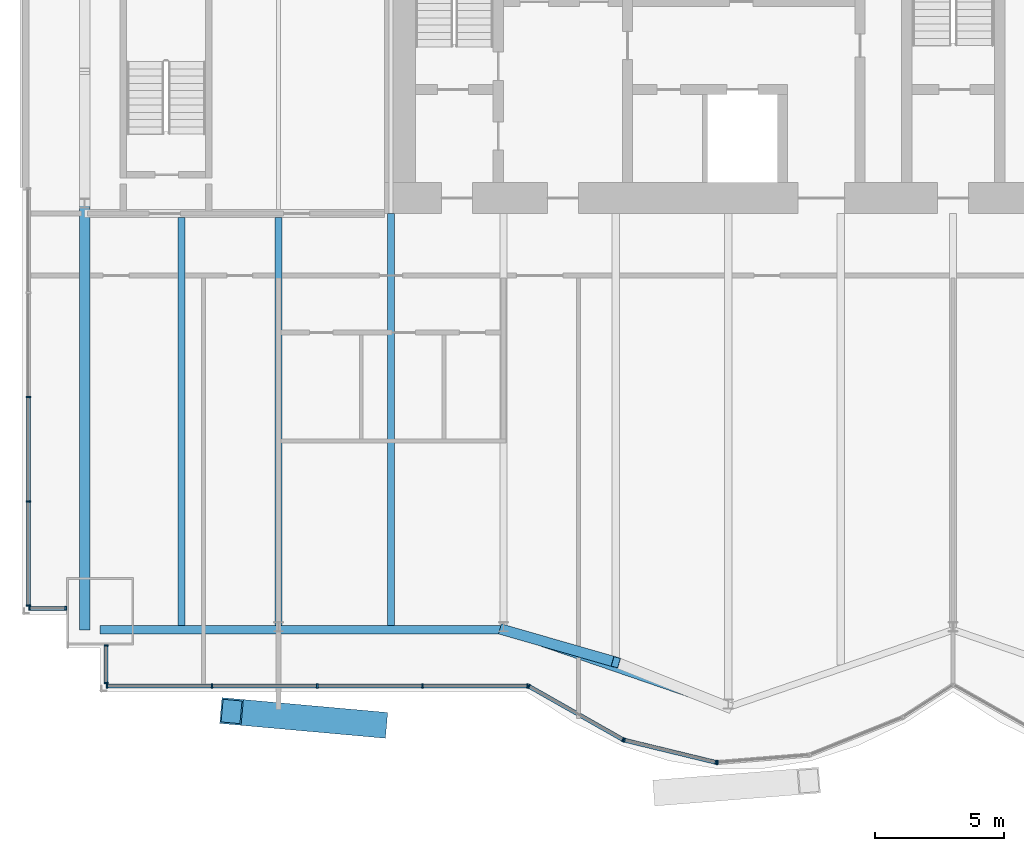
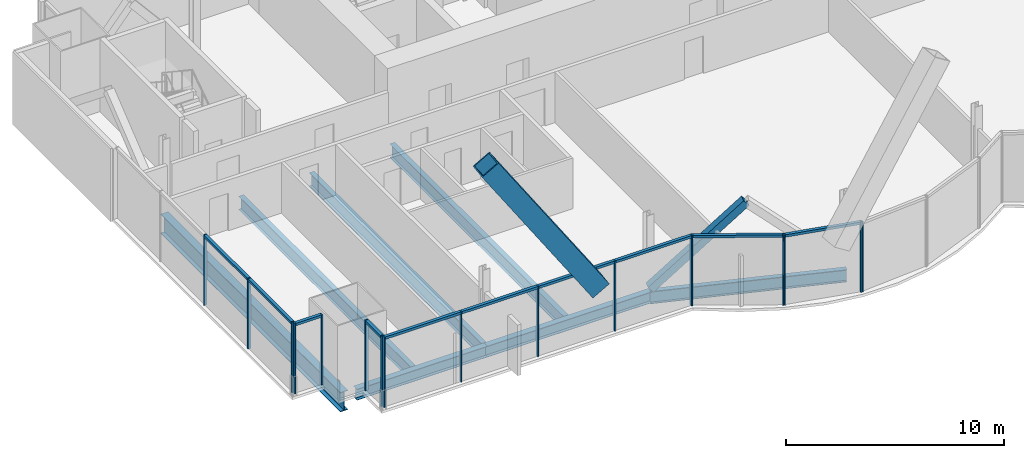
# One storey, part 5 of 20: 29 members, 7 beams, 5 elements without a shape of their own.
"""IFC4 building model written with IfcOpenShell, lengths in metres."""

from ifc_helpers import new_model, si_unit, direction, frame, origin, origin_2d, place, context, subcontext, project, spatial, rectangle, hollow_rectangle, i_section, extrude, material, material_profile, profile_set, type_object, element, aggregate, save


model = new_model("IFC4")

# Units and contexts
model_context = context("Model", 3, precision=1e-05, world=origin(), true_north=direction((0.0, 1.0)))
body_context = subcontext(model_context, "Body", "Model", "MODEL_VIEW")
ifc_project = project(units=[si_unit("LENGTHUNIT", "METRE"), si_unit("AREAUNIT", "SQUARE_METRE"), si_unit("VOLUMEUNIT", "CUBIC_METRE"), si_unit("PLANEANGLEUNIT", "RADIAN"), si_unit("MASSUNIT", "GRAM", prefix="KILO")], contexts=[model_context])

# Site, building, storey
site_placement = place(None, origin())
site = spatial("IfcSite", under=ifc_project, at=site_placement, CompositionType="ELEMENT")
building_placement = place(site_placement, origin())
building = spatial("IfcBuilding", under=site, at=building_placement, Name="Bicima Exchange Tower", CompositionType="ELEMENT")
storey_placement = place(building_placement, frame((0.0, 0.0, 219.60009765625)))
storey = spatial("IfcBuildingStorey", under=building, at=storey_placement, Name="L49", CompositionType="ELEMENT", Elevation=219.60009765625)

# Curtain wall, members
ifc_material_1 = material(Name="Anodised bronze aluminium", Category="aluminium")
curtain_wall_type_1 = type_object("IfcCurtainWallType", Name="End face glass wall", PredefinedType="NOTDEFINED", material=ifc_material_1)
curtain_wall_1_placement = place(storey_placement, origin())
curtain_wall_1 = element("IfcCurtainWall", 1, at=curtain_wall_1_placement, inside=storey, type_object=curtain_wall_type_1, Name="End face glass wall L49 run 2", PredefinedType="NOTDEFINED")
ifc_material_profile_1 = material_profile(ifc_material_1, rectangle(XDim=0.159912109375, YDim=0.06005859375, at=origin_2d()))
ifc_profile_set_1 = profile_set([ifc_material_profile_1], Name="Anodised bronze aluminium")
member_type_1 = type_object("IfcMemberType", Name="End face glass wall mullion 60 x 160", PredefinedType="MULLION", material=ifc_profile_set_1)
member_1_placement = place(storey_placement, frame((-35.77001953125, -20.09912109375, 0.0), z_axis=(0.0, 0.0, 1.0), x_axis=(1.0, 0.0, 0.0)))
member_1 = element("IfcMember", 2, at=member_1_placement, type_object=member_type_1, Name="End face glass wall mullion 3", PredefinedType="MULLION", context=body_context, shape_type="SweptSolid", body=[
    extrude(rectangle(XDim=0.159912109375, YDim=0.06005859375, at=origin_2d()), origin(), (0.0, 0.0, 1.0), 3.949951171875),
])
member_2_placement = place(storey_placement, frame((-35.77001953125, -24.133544921875, 0.0), z_axis=(0.0, 0.0, 1.0), x_axis=(1.0, 0.0, 0.0)))
member_2 = element("IfcMember", 3, at=member_2_placement, type_object=member_type_1, Name="End face glass wall mullion 4", PredefinedType="MULLION", context=body_context, shape_type="SweptSolid", body=[
    extrude(rectangle(XDim=0.159912109375, YDim=0.06005859375, at=origin_2d()), origin(), (0.0, 0.0, 1.0), 3.949951171875),
])
member_3_placement = place(storey_placement, frame((-35.77001953125, -28.16796875, 0.0), z_axis=(0.0, 0.0, 1.0), x_axis=(1.0, 0.0, 0.0)))
member_3 = element("IfcMember", 4, at=member_3_placement, type_object=member_type_1, Name="End face glass wall mullion 5", PredefinedType="MULLION", context=body_context, shape_type="SweptSolid", body=[
    extrude(rectangle(XDim=0.159912109375, YDim=0.06005859375, at=origin_2d()), origin(), (0.0, 0.0, 1.0), 3.949951171875),
])
ifc_material_profile_2 = material_profile(ifc_material_1, rectangle(XDim=0.159912109375, YDim=0.139892578125, at=origin_2d()))
ifc_profile_set_2 = profile_set([ifc_material_profile_2], Name="Anodised bronze aluminium")
member_type_2 = type_object("IfcMemberType", Name="End face glass wall transom 140 x 160", PredefinedType="USERDEFINED", material=ifc_profile_set_2)
member_4_placement = place(storey_placement, frame((-35.77001953125, -20.12890625, 3.8798828125), z_axis=(0.0, -1.0, 0.0), x_axis=(1.0, 0.0, 0.0)))
member_4 = element("IfcMember", 5, at=member_4_placement, type_object=member_type_2, Name="End face glass wall transom 3.1", ObjectType="TRANSOM", PredefinedType="USERDEFINED", context=body_context, shape_type="SweptSolid", body=[
    extrude(rectangle(XDim=0.159912109375, YDim=0.139892578125, at=origin_2d()), origin(), (0.0, 0.0, 1.0), 3.974609375),
])
member_5_placement = place(storey_placement, frame((-35.77001953125, -24.16357421875, 3.8798828125), z_axis=(0.0, -1.0, 0.0), x_axis=(1.0, 0.0, 0.0)))
member_5 = element("IfcMember", 6, at=member_5_placement, type_object=member_type_2, Name="End face glass wall transom 4.1", ObjectType="TRANSOM", PredefinedType="USERDEFINED", context=body_context, shape_type="SweptSolid", body=[
    extrude(rectangle(XDim=0.159912109375, YDim=0.139892578125, at=origin_2d()), origin(), (0.0, 0.0, 1.0), 3.974365234375),
])
aggregate(curtain_wall_1, [member_1, member_2, member_3, member_4, member_5])

# Beam
ifc_material_2 = material(Name="Steel ASTM A992 Gr 50", Category="steel")
ifc_material_profile_3 = material_profile(ifc_material_2, i_section(OverallWidth=0.4013671875, OverallDepth=1.089599609375, WebThickness=0.01806640625, FlangeThickness=0.031005859375, at=origin_2d()))
ifc_profile_set_3 = profile_set([ifc_material_profile_3], Name="Steel ASTM A992 Gr 50")
beam_type_1 = type_object("IfcBeamType", Name="End girder W44x230", PredefinedType="BEAM", material=ifc_profile_set_3)
beam_1_placement = place(storey_placement, frame((-33.60009765625, -12.60009765625, -0.69482421875), z_axis=(0.0, -1.0, 0.0), x_axis=(1.0, 0.0, 0.0)))
element("IfcBeam", 7, at=beam_1_placement, inside=storey, type_object=beam_type_1, Name="End girder", PredefinedType="BEAM", context=body_context, shape_type="SweptSolid", body=[
    extrude(i_section(OverallWidth=0.4013671875, OverallDepth=1.089599609375, WebThickness=0.01806640625, FlangeThickness=0.031005859375, at=origin_2d()), origin(), (0.0, 0.0, 1.0), 16.5078125),
])

# Member
ifc_material_3 = material(Name="Steel ASTM A572 Gr 50", Category="steel")
ifc_material_profile_4 = material_profile(ifc_material_3, hollow_rectangle(XDim=1.0, YDim=1.0, WallThickness=0.06005859375, at=origin_2d()))
ifc_profile_set_4 = profile_set([ifc_material_profile_4], Name="Steel ASTM A572 Gr 50")
member_type_3 = type_object("IfcMemberType", Name="Exo mega brace BOX 1000x1000x60", PredefinedType="BRACE", material=ifc_profile_set_4)
member_6_placement = place(storey_placement, frame((-22.333251953125, -32.76611328125, 4.066650390625), z_axis=(-0.552134579453, 0.049540015612, 0.832281919199), x_axis=(-0.089365532808, -0.995998896358, 0.0)))
element("IfcMember", 8, at=member_6_placement, inside=storey, type_object=member_type_3, Name="Exo mega brace front", PredefinedType="BRACE", context=body_context, shape_type="SweptSolid", body=[
    extrude(hollow_rectangle(XDim=1.0, YDim=1.0, WallThickness=0.06005859375, at=origin_2d()), origin(), (0.0, 0.0, 1.0), 10.112548828125),
])

# Beams
ifc_material_profile_5 = material_profile(ifc_material_2, i_section(OverallWidth=0.2666015625, OverallDepth=0.75439453125, WebThickness=0.01318359375, FlangeThickness=0.01708984375, at=origin_2d()))
ifc_profile_set_5 = profile_set([ifc_material_profile_5], Name="Steel ASTM A992 Gr 50")
beam_type_2 = type_object("IfcBeamType", Name="Floor beam W30x99", PredefinedType="JOIST", material=ifc_profile_set_5)
for number, where, z_axis, x_axis, name in (
    (9, (-29.85009765625, -13.15234375, -0.52734375), (0.0, -1.0, 0.0), (1.0, 0.0, 0.0), "Floor beam"),
    (10, (-26.10009765625, -13.15234375, -0.52734375), (0.0, -1.0, 0.0), (1.0, 0.0, 0.0), "Floor beam"),
):
    element("IfcBeam", number, at=place(storey_placement, frame(where, z_axis=z_axis, x_axis=x_axis)), inside=storey, type_object=beam_type_2, Name=name, PredefinedType="JOIST", context=body_context, shape_type="SweptSolid", body=[
        extrude(i_section(OverallWidth=0.2666015625, OverallDepth=0.75439453125, WebThickness=0.01318359375, FlangeThickness=0.01708984375, at=origin_2d()), origin(), (0.0, 0.0, 1.0), 15.79296875),
    ])
beam_2_placement = place(storey_placement, frame((-21.75, -13.0, -0.52734375), z_axis=(0.0, -1.0, 0.0), x_axis=(1.0, 0.0, 0.0)))
element("IfcBeam", 11, at=beam_2_placement, inside=storey, type_object=beam_type_2, Name="Floor beam", PredefinedType="JOIST", context=body_context, shape_type="SweptSolid", body=[
    extrude(i_section(OverallWidth=0.2666015625, OverallDepth=0.75439453125, WebThickness=0.01318359375, FlangeThickness=0.01708984375, at=origin_2d()), origin(), (0.0, 0.0, 1.0), 15.9453125),
])
ifc_material_profile_6 = material_profile(ifc_material_2, i_section(OverallWidth=0.3251953125, OverallDepth=0.612060546875, WebThickness=0.0126953125, FlangeThickness=0.01904296875, at=origin_2d()))
ifc_profile_set_6 = profile_set([ifc_material_profile_6], Name="Steel ASTM A992 Gr 50")
beam_type_3 = type_object("IfcBeamType", Name="Front girder W24x104", PredefinedType="BEAM", material=ifc_profile_set_6)
beam_3_placement = place(storey_placement, frame((-33.0, -29.10791015625, -0.456298828125), z_axis=(1.0, 0.0, 0.0), x_axis=(0.0, 1.0, 0.0)))
element("IfcBeam", 12, at=beam_3_placement, inside=storey, type_object=beam_type_3, Name="Front girder", PredefinedType="BEAM", context=body_context, shape_type="SweptSolid", body=[
    extrude(i_section(OverallWidth=0.3251953125, OverallDepth=0.612060546875, WebThickness=0.0126953125, FlangeThickness=0.01904296875, at=origin_2d()), origin(), (0.0, 0.0, 1.0), 6.89990234375),
])
beam_4_placement = place(storey_placement, frame((-26.10009765625, -29.10791015625, -0.456298828125), z_axis=(1.0, 0.0, 0.0), x_axis=(0.0, 1.0, 0.0)))
element("IfcBeam", 13, at=beam_4_placement, inside=storey, type_object=beam_type_3, Name="Front girder", PredefinedType="BEAM", context=body_context, shape_type="SweptSolid", body=[
    extrude(i_section(OverallWidth=0.3251953125, OverallDepth=0.612060546875, WebThickness=0.0126953125, FlangeThickness=0.01904296875, at=origin_2d()), origin(), (0.0, 0.0, 1.0), 8.7001953125),
])
ifc_material_profile_7 = material_profile(ifc_material_2, i_section(OverallWidth=0.256591796875, OverallDepth=0.693359375, WebThickness=0.014404296875, FlangeThickness=0.023681640625, at=origin_2d()))
ifc_profile_set_7 = profile_set([ifc_material_profile_7], Name="Steel ASTM A992 Gr 50")
beam_type_4 = type_object("IfcBeamType", Name="Front girder W27x114", PredefinedType="BEAM", material=ifc_profile_set_7)
beam_5_placement = place(storey_placement, frame((-17.39990234375, -29.10791015625, -0.496826171875), z_axis=(0.945666456746, -0.325138359143, 0.0), x_axis=(0.325138359143, 0.945666456746, 0.0)))
element("IfcBeam", 14, at=beam_5_placement, inside=storey, type_object=beam_type_4, Name="Front girder", PredefinedType="BEAM", context=body_context, shape_type="SweptSolid", body=[
    extrude(i_section(OverallWidth=0.256591796875, OverallDepth=0.693359375, WebThickness=0.014404296875, FlangeThickness=0.023681640625, at=origin_2d()), origin(), (0.0, 0.0, 1.0), 9.19970703125),
])

# Curtain wall, members
curtain_wall_type_2 = type_object("IfcCurtainWallType", Name="Front glass wall", PredefinedType="NOTDEFINED", material=ifc_material_1)
curtain_wall_2_placement = place(storey_placement, origin())
curtain_wall_2 = element("IfcCurtainWall", 15, at=curtain_wall_2_placement, inside=storey, type_object=curtain_wall_type_2, Name="Front glass wall L49 run 3", PredefinedType="NOTDEFINED")
member_type_4 = type_object("IfcMemberType", Name="Front glass wall mullion 60 x 160", PredefinedType="MULLION", material=ifc_profile_set_1)
member_7_placement = place(storey_placement, frame((-35.739990234375, -28.278076171875, 0.0), z_axis=(0.0, 0.0, 1.0), x_axis=(0.0, 1.0, 0.0)))
member_7 = element("IfcMember", 16, at=member_7_placement, type_object=member_type_4, Name="Front glass wall mullion 1", PredefinedType="MULLION", context=body_context, shape_type="SweptSolid", body=[
    extrude(rectangle(XDim=0.159912109375, YDim=0.06005859375, at=origin_2d()), origin(), (0.0, 0.0, 1.0), 3.949951171875),
])
member_8_placement = place(storey_placement, frame((-34.330078125, -28.278076171875, 0.0), z_axis=(0.0, 0.0, 1.0), x_axis=(0.0, 1.0, 0.0)))
member_8 = element("IfcMember", 17, at=member_8_placement, type_object=member_type_4, Name="Front glass wall mullion 2", PredefinedType="MULLION", context=body_context, shape_type="SweptSolid", body=[
    extrude(rectangle(XDim=0.159912109375, YDim=0.06005859375, at=origin_2d()), origin(), (0.0, 0.0, 1.0), 3.949951171875),
])

curtain_wall_3_placement = place(storey_placement, origin())
curtain_wall_3 = element("IfcCurtainWall", 18, at=curtain_wall_3_placement, inside=storey, type_object=curtain_wall_type_2, Name="Front glass wall L49 run 4", PredefinedType="NOTDEFINED")
member_9_placement = place(storey_placement, frame((-32.77001953125, -29.716064453125, 0.0), z_axis=(0.0, 0.0, 1.0), x_axis=(1.0, 0.0, 0.0)))
member_9 = element("IfcMember", 19, at=member_9_placement, type_object=member_type_4, Name="Front glass wall mullion 1", PredefinedType="MULLION", context=body_context, shape_type="SweptSolid", body=[
    extrude(rectangle(XDim=0.159912109375, YDim=0.06005859375, at=origin_2d()), origin(), (0.0, 0.0, 1.0), 3.949951171875),
])
member_10_placement = place(storey_placement, frame((-32.77001953125, -31.16796875, 0.0), z_axis=(0.0, 0.0, 1.0), x_axis=(1.0, 0.0, 0.0)))
member_10 = element("IfcMember", 20, at=member_10_placement, type_object=member_type_4, Name="Front glass wall mullion 2", PredefinedType="MULLION", context=body_context, shape_type="SweptSolid", body=[
    extrude(rectangle(XDim=0.159912109375, YDim=0.06005859375, at=origin_2d()), origin(), (0.0, 0.0, 1.0), 3.949951171875),
])

curtain_wall_4_placement = place(storey_placement, origin())
curtain_wall_4 = element("IfcCurtainWall", 21, at=curtain_wall_4_placement, inside=storey, type_object=curtain_wall_type_2, Name="Front glass wall L49 run 5", PredefinedType="NOTDEFINED")
member_11_placement = place(storey_placement, frame((-32.739990234375, -31.278076171875, 0.0), z_axis=(0.0, 0.0, 1.0), x_axis=(0.0, 1.0, 0.0)))
member_11 = element("IfcMember", 22, at=member_11_placement, type_object=member_type_4, Name="Front glass wall mullion 1", PredefinedType="MULLION", context=body_context, shape_type="SweptSolid", body=[
    extrude(rectangle(XDim=0.159912109375, YDim=0.06005859375, at=origin_2d()), origin(), (0.0, 0.0, 1.0), 3.949951171875),
])
member_12_placement = place(storey_placement, frame((-28.67041015625, -31.278076171875, 0.0), z_axis=(0.0, 0.0, 1.0), x_axis=(0.0, 1.0, 0.0)))
member_12 = element("IfcMember", 23, at=member_12_placement, type_object=member_type_4, Name="Front glass wall mullion 2", PredefinedType="MULLION", context=body_context, shape_type="SweptSolid", body=[
    extrude(rectangle(XDim=0.159912109375, YDim=0.06005859375, at=origin_2d()), origin(), (0.0, 0.0, 1.0), 3.949951171875),
])
member_13_placement = place(storey_placement, frame((-24.60107421875, -31.278076171875, 0.0), z_axis=(0.0, 0.0, 1.0), x_axis=(0.0, 1.0, 0.0)))
member_13 = element("IfcMember", 24, at=member_13_placement, type_object=member_type_4, Name="Front glass wall mullion 3", PredefinedType="MULLION", context=body_context, shape_type="SweptSolid", body=[
    extrude(rectangle(XDim=0.159912109375, YDim=0.06005859375, at=origin_2d()), origin(), (0.0, 0.0, 1.0), 3.949951171875),
])
member_14_placement = place(storey_placement, frame((-20.531494140625, -31.278076171875, 0.0), z_axis=(0.0, 0.0, 1.0), x_axis=(0.0, 1.0, 0.0)))
member_14 = element("IfcMember", 25, at=member_14_placement, type_object=member_type_4, Name="Front glass wall mullion 4", PredefinedType="MULLION", context=body_context, shape_type="SweptSolid", body=[
    extrude(rectangle(XDim=0.159912109375, YDim=0.06005859375, at=origin_2d()), origin(), (0.0, 0.0, 1.0), 3.949951171875),
])
member_15_placement = place(storey_placement, frame((-16.462158203125, -31.278076171875, 0.0), z_axis=(0.0, 0.0, 1.0), x_axis=(0.0, 1.0, 0.0)))
member_15 = element("IfcMember", 26, at=member_15_placement, type_object=member_type_4, Name="Front glass wall mullion 5", PredefinedType="MULLION", context=body_context, shape_type="SweptSolid", body=[
    extrude(rectangle(XDim=0.159912109375, YDim=0.06005859375, at=origin_2d()), origin(), (0.0, 0.0, 1.0), 3.949951171875),
])

curtain_wall_5_placement = place(storey_placement, origin())
curtain_wall_5 = element("IfcCurtainWall", 27, at=curtain_wall_5_placement, inside=storey, type_object=curtain_wall_type_2, Name="Front glass wall L49 run 6", PredefinedType="NOTDEFINED")
member_16_placement = place(storey_placement, frame((-16.406005859375, -31.292724609375, 0.0), z_axis=(0.0, 0.0, 1.0), x_axis=(0.493395449343, 0.869805110681, 0.0)))
member_16 = element("IfcMember", 28, at=member_16_placement, type_object=member_type_4, Name="Front glass wall mullion 1", PredefinedType="MULLION", context=body_context, shape_type="SweptSolid", body=[
    extrude(rectangle(XDim=0.159912109375, YDim=0.06005859375, at=origin_2d()), origin(), (0.0, 0.0, 1.0), 3.949951171875),
])
member_17_placement = place(storey_placement, frame((-12.7734375, -33.353515625, 0.0), z_axis=(0.0, 0.0, 1.0), x_axis=(0.493395449343, 0.869805110681, 0.0)))
member_17 = element("IfcMember", 29, at=member_17_placement, type_object=member_type_4, Name="Front glass wall mullion 2", PredefinedType="MULLION", context=body_context, shape_type="SweptSolid", body=[
    extrude(rectangle(XDim=0.159912109375, YDim=0.06005859375, at=origin_2d()), origin(), (0.0, 0.0, 1.0), 3.949951171875),
])
member_18_placement = place(storey_placement, frame((-12.718017578125, -33.375244140625, 0.0), z_axis=(0.0, 0.0, 1.0), x_axis=(0.235681529503, 0.971830343553, 0.0)))
member_18 = element("IfcMember", 30, at=member_18_placement, type_object=member_type_4, Name="Front glass wall mullion 1", PredefinedType="MULLION", context=body_context, shape_type="SweptSolid", body=[
    extrude(rectangle(XDim=0.159912109375, YDim=0.06005859375, at=origin_2d()), origin(), (0.0, 0.0, 1.0), 3.949951171875),
])
member_19_placement = place(storey_placement, frame((-9.177490234375, -34.23388671875, 0.0), z_axis=(0.0, 0.0, 1.0), x_axis=(0.235681529503, 0.971830343553, 0.0)))
member_19 = element("IfcMember", 31, at=member_19_placement, type_object=member_type_4, Name="Front glass wall mullion 2", PredefinedType="MULLION", context=body_context, shape_type="SweptSolid", body=[
    extrude(rectangle(XDim=0.159912109375, YDim=0.06005859375, at=origin_2d()), origin(), (0.0, 0.0, 1.0), 3.949951171875),
])
member_20_placement = place(storey_placement, frame((-9.118408203125, -34.238525390625, 0.0), z_axis=(0.0, 0.0, 1.0), x_axis=(-0.080588612633, 0.99674744821, 0.0)))
member_20 = element("IfcMember", 32, at=member_20_placement, type_object=member_type_4, Name="Front glass wall mullion 1", PredefinedType="MULLION", context=body_context, shape_type="SweptSolid", body=[
    extrude(rectangle(XDim=0.159912109375, YDim=0.06005859375, at=origin_2d()), origin(), (0.0, 0.0, 1.0), 3.949951171875),
])

# Member
member_type_5 = type_object("IfcMemberType", Name="Front glass wall transom 140 x 160", PredefinedType="USERDEFINED", material=ifc_profile_set_2)
member_21_placement = place(storey_placement, frame((-35.7099609375, -28.278076171875, 3.8798828125), z_axis=(1.0, 0.0, 0.0), x_axis=(0.0, 1.0, 0.0)))
member_21 = element("IfcMember", 33, at=member_21_placement, type_object=member_type_5, Name="Front glass wall transom 1.1", ObjectType="TRANSOM", PredefinedType="USERDEFINED", context=body_context, shape_type="SweptSolid", body=[
    extrude(rectangle(XDim=0.159912109375, YDim=0.139892578125, at=origin_2d()), origin(), (0.0, 0.0, 1.0), 1.349853515625),
])

aggregate(curtain_wall_2, [member_7, member_8, member_21])

member_22_placement = place(storey_placement, frame((-32.77001953125, -29.74609375, 3.8798828125), z_axis=(0.0, -1.0, 0.0), x_axis=(1.0, 0.0, 0.0)))
member_22 = element("IfcMember", 34, at=member_22_placement, type_object=member_type_5, Name="Front glass wall transom 1.1", ObjectType="TRANSOM", PredefinedType="USERDEFINED", context=body_context, shape_type="SweptSolid", body=[
    extrude(rectangle(XDim=0.159912109375, YDim=0.139892578125, at=origin_2d()), origin(), (0.0, 0.0, 1.0), 1.391845703125),
])

aggregate(curtain_wall_3, [member_9, member_10, member_22])

member_23_placement = place(storey_placement, frame((-32.7099609375, -31.278076171875, 3.8798828125), z_axis=(1.0, 0.0, 0.0), x_axis=(0.0, 1.0, 0.0)))
member_23 = element("IfcMember", 35, at=member_23_placement, type_object=member_type_5, Name="Front glass wall transom 1.1", ObjectType="TRANSOM", PredefinedType="USERDEFINED", context=body_context, shape_type="SweptSolid", body=[
    extrude(rectangle(XDim=0.159912109375, YDim=0.139892578125, at=origin_2d()), origin(), (0.0, 0.0, 1.0), 4.009521484375),
])

member_24_placement = place(storey_placement, frame((-28.640380859375, -31.278076171875, 3.8798828125), z_axis=(1.0, 0.0, 0.0), x_axis=(0.0, 1.0, 0.0)))
member_24 = element("IfcMember", 36, at=member_24_placement, type_object=member_type_5, Name="Front glass wall transom 2.1", ObjectType="TRANSOM", PredefinedType="USERDEFINED", context=body_context, shape_type="SweptSolid", body=[
    extrude(rectangle(XDim=0.159912109375, YDim=0.139892578125, at=origin_2d()), origin(), (0.0, 0.0, 1.0), 4.00927734375),
])

member_25_placement = place(storey_placement, frame((-24.571044921875, -31.278076171875, 3.8798828125), z_axis=(1.0, 0.0, 0.0), x_axis=(0.0, 1.0, 0.0)))
member_25 = element("IfcMember", 37, at=member_25_placement, type_object=member_type_5, Name="Front glass wall transom 3.1", ObjectType="TRANSOM", PredefinedType="USERDEFINED", context=body_context, shape_type="SweptSolid", body=[
    extrude(rectangle(XDim=0.159912109375, YDim=0.139892578125, at=origin_2d()), origin(), (0.0, 0.0, 1.0), 4.009521484375),
])

member_26_placement = place(storey_placement, frame((-20.501708984375, -31.278076171875, 3.8798828125), z_axis=(1.0, 0.0, 0.0), x_axis=(0.0, 1.0, 0.0)))
member_26 = element("IfcMember", 38, at=member_26_placement, type_object=member_type_5, Name="Front glass wall transom 4.1", ObjectType="TRANSOM", PredefinedType="USERDEFINED", context=body_context, shape_type="SweptSolid", body=[
    extrude(rectangle(XDim=0.159912109375, YDim=0.139892578125, at=origin_2d()), origin(), (0.0, 0.0, 1.0), 4.009521484375),
])

aggregate(curtain_wall_4, [member_11, member_12, member_13, member_14, member_15, member_23, member_24, member_25, member_26])

member_27_placement = place(storey_placement, frame((-16.3798828125, -31.3076171875, 3.8798828125), z_axis=(0.869797371721, -0.49340909208, 0.0), x_axis=(0.49340909208, 0.869797371721, 0.0)))
member_27 = element("IfcMember", 39, at=member_27_placement, type_object=member_type_5, Name="Front glass wall transom 1.1", ObjectType="TRANSOM", PredefinedType="USERDEFINED", context=body_context, shape_type="SweptSolid", body=[
    extrude(rectangle(XDim=0.159912109375, YDim=0.139892578125, at=origin_2d()), origin(), (0.0, 0.0, 1.0), 4.1162109375),
])

member_28_placement = place(storey_placement, frame((-12.68896484375, -33.38232421875, 3.8798828125), z_axis=(0.971833557815, -0.235668275132, 0.0), x_axis=(0.235668275132, 0.971833557815, 0.0)))
member_28 = element("IfcMember", 40, at=member_28_placement, type_object=member_type_5, Name="Front glass wall transom 1.1", ObjectType="TRANSOM", PredefinedType="USERDEFINED", context=body_context, shape_type="SweptSolid", body=[
    extrude(rectangle(XDim=0.159912109375, YDim=0.139892578125, at=origin_2d()), origin(), (0.0, 0.0, 1.0), 3.583251953125),
])

aggregate(curtain_wall_5, [member_16, member_17, member_27, member_18, member_19, member_28, member_20])

ifc_material_profile_8 = material_profile(ifc_material_3, hollow_rectangle(XDim=0.406494140625, YDim=0.406494140625, WallThickness=0.0146484375, at=origin_2d()))
ifc_profile_set_8 = profile_set([ifc_material_profile_8], Name="Steel ASTM A572 Gr 50")
member_type_6 = type_object("IfcMemberType", Name="Mega brace HSS16x16x5/8", PredefinedType="BRACE", material=ifc_profile_set_8)
member_29_placement = place(storey_placement, frame((-17.39990234375, -29.10791015625, 0.0), z_axis=(0.712260478479, -0.204959278956, 0.671324589723), x_axis=(0.276537209588, 0.961003211084, 0.0)))
element("IfcMember", 41, at=member_29_placement, inside=storey, type_object=member_type_6, Name="Mega brace front", PredefinedType="BRACE", context=body_context, shape_type="SweptSolid", body=[
    extrude(hollow_rectangle(XDim=0.406494140625, YDim=0.406494140625, WallThickness=0.0146484375, at=origin_2d()), origin(), (0.0, 0.0, 1.0), 6.107177734375),
])

save(model, "model.ifc")
